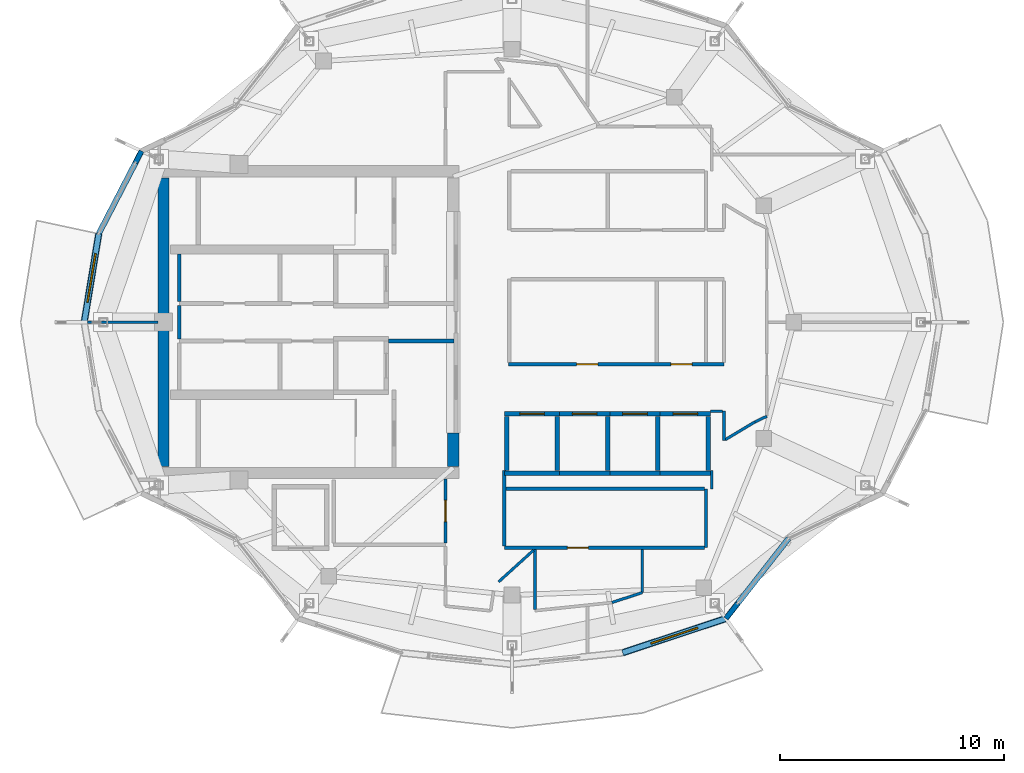
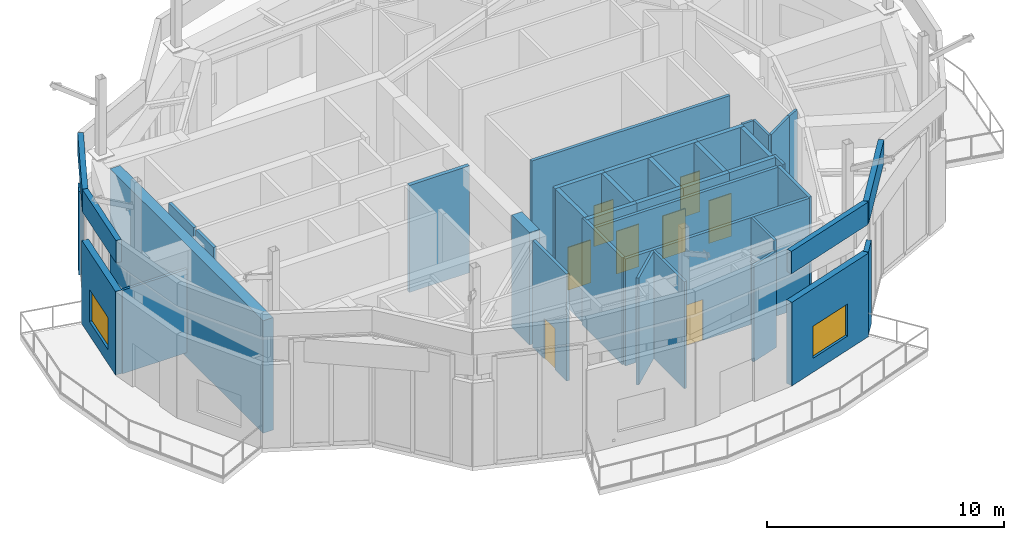
# One storey, part 9 of 13: 42 walls, 8 doors, 2 windows, 10 openings.
"""IFC4 building model written with IfcOpenShell, lengths in metres."""

from ifc_helpers import new_model, si_unit, direction, frame, frame_2d, origin, place, context, subcontext, project, spatial, rectangle, extrude, material, layer, layer_set, type_object, element, fill, save


model = new_model("IFC4")

# Units and contexts
model_context = context("Model", 3, precision=1e-05, world=origin(), true_north=direction((0.0, 1.0)))
body_context = subcontext(model_context, "Body", "Model", "MODEL_VIEW")
ifc_project = project(units=[si_unit("LENGTHUNIT", "METRE"), si_unit("AREAUNIT", "SQUARE_METRE"), si_unit("VOLUMEUNIT", "CUBIC_METRE"), si_unit("PLANEANGLEUNIT", "RADIAN"), si_unit("MASSUNIT", "GRAM", prefix="KILO")], contexts=[model_context])

# Site, building, storey
site_placement = place(None, origin())
site = spatial("IfcSite", under=ifc_project, at=site_placement, CompositionType="ELEMENT")
building_placement = place(site_placement, origin())
building = spatial("IfcBuilding", under=site, at=building_placement, Name="Kolvaren Gate Tower and Convention Centre", CompositionType="ELEMENT")
storey_placement = place(building_placement, frame((0.0, 0.0, 281.60009765625)))
storey = spatial("IfcBuildingStorey", under=building, at=storey_placement, Name="L76", CompositionType="ELEMENT", Elevation=281.60009765625)

# Walls
ifc_material_1 = material(Name="Autoclaved Aerated Masonry Blockwork Class 4 (4.0 MPa)", Category="masonry")
ifc_layer_1 = layer(ifc_material_1, 0.179931640625)
ifc_layer_set_1 = layer_set([ifc_layer_1], Name="Autoclaved Aerated Masonry Blockwork Class 4 (4.0 MPa)")
wall_type_1 = type_object("IfcWallType", Name="ARCH-WL-COMP-180", PredefinedType="SOLIDWALL", material=ifc_layer_set_1)
wall_1_placement = place(storey_placement, frame((24.60009765625, 26.159912109375, 0.0), z_axis=(0.0, 0.0, 1.0), x_axis=(1.0, 0.0, 0.0)))
element("IfcWall", 1, at=wall_1_placement, inside=storey, type_object=wall_type_1, Name="Interior Partition WL-L76-INT-005 (2)", PredefinedType="SOLIDWALL", context=body_context, shape_type="SweptSolid", body=[
    extrude(rectangle(XDim=2.927978515625, YDim=0.179931640625, at=frame_2d((1.4638671875, 0.0))), origin(), (0.0, 0.0, 1.0), 5.5),
])
ifc_material_2 = material(Name="Piedmont Cream Honed Limestone Cladding", Category="masonry")
ifc_layer_2 = layer(ifc_material_2, 0.25)
ifc_layer_set_2 = layer_set([ifc_layer_2], Name="Piedmont Cream Honed Limestone Cladding")
wall_type_2 = type_object("IfcWallType", Name="ARCH-WL-PARAPET-250", PredefinedType="PARAPET", material=ifc_layer_set_2)
wall_2_placement = place(storey_placement, frame((11.651611328125, 30.9599609375, 5.75), z_axis=(0.0, 0.0, 1.0), x_axis=(0.459812881143, 0.888015830002, 0.0)))
element("IfcWall", 2, at=wall_2_placement, inside=storey, type_object=wall_type_2, Name="Observation Roof Core-Cap Stone Parapet CPW-11", PredefinedType="PARAPET", context=body_context, shape_type="SweptSolid", body=[
    extrude(rectangle(XDim=4.1552734375, YDim=0.25, at=frame_2d((2.07763671875, 0.0))), origin(), (0.0, 0.0, 1.0), 1.14990234375),
])
wall_3_placement = place(storey_placement, frame((11.0, 27.0, 5.75), z_axis=(0.0, 0.0, 1.0), x_axis=(0.162366447696, 0.9867305289, 0.0)))
element("IfcWall", 3, at=wall_3_placement, inside=storey, type_object=wall_type_2, Name="Observation Roof Core-Cap Stone Parapet CPW-12", PredefinedType="PARAPET", context=body_context, shape_type="SweptSolid", body=[
    extrude(rectangle(XDim=4.01318359375, YDim=0.25, at=frame_2d((2.006591796875, 0.0))), origin(), (0.0, 0.0, 1.0), 1.14990234375),
])
wall_4_placement = place(storey_placement, frame((35.074951171875, 12.22119140625, 5.75), z_axis=(0.0, 0.0, 1.0), x_axis=(0.949234518432, 0.314569275388, 0.0)))
element("IfcWall", 4, at=wall_4_placement, inside=storey, type_object=wall_type_2, Name="Observation Roof Core-Cap Stone Parapet CPW-20", PredefinedType="PARAPET", context=body_context, shape_type="SweptSolid", body=[
    extrude(rectangle(XDim=4.859130859375, YDim=0.25, at=frame_2d((2.4296875, 0.0))), origin(), (0.0, 0.0, 1.0), 1.14990234375),
])
wall_5_placement = place(storey_placement, frame((39.6875, 13.749755859375, 5.75), z_axis=(0.0, 0.0, 1.0), x_axis=(0.616428247224, 0.78741108452, 0.0)))
element("IfcWall", 5, at=wall_5_placement, inside=storey, type_object=wall_type_2, Name="Observation Roof Core-Cap Stone Parapet CPW-21", PredefinedType="PARAPET", context=body_context, shape_type="SweptSolid", body=[
    extrude(rectangle(XDim=4.553466796875, YDim=0.25, at=frame_2d((2.27685546875, 0.0))), origin(), (0.0, 0.0, 1.0), 1.14990234375),
])
ifc_material_3 = material(Name="Fire-Rated Acoustic Gypsum Stud Partition", Category="gypsum")
ifc_layer_3 = layer(ifc_material_3, 0.1201171875)
ifc_layer_set_3 = layer_set([ifc_layer_3], Name="Fire-Rated Acoustic Gypsum Stud Partition")
wall_type_3 = type_object("IfcWallType", Name="ARCH-WL-PART-120", PredefinedType="PARTITIONING", material=ifc_layer_set_3)
wall_6_placement = place(storey_placement, frame((39.050048828125, 19.550048828125, 0.0), z_axis=(0.0, 0.0, 1.0), x_axis=(0.0, 1.0, 0.0)))
element("IfcWall", 6, at=wall_6_placement, inside=storey, type_object=wall_type_3, Name="Interior Partition WL-L76-INT-036", PredefinedType="PARTITIONING", context=body_context, shape_type="SweptSolid", body=[
    extrude(rectangle(XDim=0.81005859375, YDim=0.1201171875, at=frame_2d((0.405029296875, 0.0))), origin(), (0.0, 0.0, 1.0), 5.5),
])
wall_7_placement = place(storey_placement, frame((39.60009765625, 21.7099609375, 0.0), z_axis=(0.0, 0.0, 1.0), x_axis=(0.0, 1.0, 0.0)))
element("IfcWall", 7, at=wall_7_placement, inside=storey, type_object=wall_type_3, Name="Interior Partition WL-L76-INT-038", PredefinedType="PARTITIONING", context=body_context, shape_type="SweptSolid", body=[
    extrude(rectangle(XDim=1.31005859375, YDim=0.1201171875, at=frame_2d((0.655029296875, 0.0))), origin(), (0.0, 0.0, 1.0), 5.5),
])
wall_8_placement = place(storey_placement, frame((40.986083984375, 22.541015625, 0.0), z_axis=(0.0, 0.0, 1.0), x_axis=(0.903729424576, 0.428104107847, 0.0)))
element("IfcWall", 8, at=wall_8_placement, inside=storey, type_object=wall_type_3, Name="Interior Partition WL-L76-INT-044", PredefinedType="PARTITIONING", context=body_context, shape_type="SweptSolid", body=[
    extrude(rectangle(XDim=0.5908203125, YDim=0.1201171875, at=frame_2d((0.29541015625, 0.0))), origin(), (0.0, 0.0, 1.0), 5.5),
])
wall_9_placement = place(storey_placement, frame((39.662109375, 21.747314453125, 0.0), z_axis=(0.0, 0.0, 1.0), x_axis=(0.857688234944, 0.514170099908, 0.0)))
element("IfcWall", 9, at=wall_9_placement, inside=storey, type_object=wall_type_3, Name="Interior Partition WL-L76-INT-045", PredefinedType="PARTITIONING", context=body_context, shape_type="SweptSolid", body=[
    extrude(rectangle(XDim=1.543701171875, YDim=0.1201171875, at=frame_2d((0.77197265625, 0.0))), origin(), (0.0, 0.0, 1.0), 5.5),
])
wall_10_placement = place(storey_placement, frame((39.0, 23.02001953125, 0.0), z_axis=(0.0, 0.0, 1.0), x_axis=(1.0, 0.0, 0.0)))
element("IfcWall", 10, at=wall_10_placement, inside=storey, type_object=wall_type_3, Name="Interior Partition WL-L76-INT-046", PredefinedType="PARTITIONING", context=body_context, shape_type="SweptSolid", body=[
    extrude(rectangle(XDim=0.5380859375, YDim=0.1201171875, at=frame_2d((0.26904296875, 0.0))), origin(), (0.0, 0.0, 1.0), 5.5),
])
wall_11_placement = place(storey_placement, frame((35.949951171875, 14.9130859375, 0.0), z_axis=(0.0, 0.0, 1.0), x_axis=(0.0, 1.0, 0.0)))
element("IfcWall", 11, at=wall_11_placement, inside=storey, type_object=wall_type_3, Name="Interior Partition WL-L76-INT-047", PredefinedType="PARTITIONING", context=body_context, shape_type="SweptSolid", body=[
    extrude(rectangle(XDim=1.929931640625, YDim=0.1201171875, at=frame_2d((0.96484375, 0.0))), origin(), (0.0, 0.0, 1.0), 5.5),
])
wall_12_placement = place(storey_placement, frame((34.591064453125, 14.462890625, 0.0), z_axis=(0.0, 0.0, 1.0), x_axis=(0.949261561088, 0.314487660554, 0.0)))
element("IfcWall", 12, at=wall_12_placement, inside=storey, type_object=wall_type_3, Name="Interior Partition WL-L76-INT-048", PredefinedType="PARTITIONING", context=body_context, shape_type="SweptSolid", body=[
    extrude(rectangle(XDim=1.431640625, YDim=0.1201171875, at=frame_2d((0.7158203125, 0.0))), origin(), (0.0, 0.0, 1.0), 4.947998046875),
])
wall_13_placement = place(storey_placement, frame((31.14990234375, 14.163330078125, 0.0), z_axis=(0.0, 0.0, 1.0), x_axis=(0.0, 1.0, 0.0)))
element("IfcWall", 13, at=wall_13_placement, inside=storey, type_object=wall_type_3, Name="Interior Partition WL-L76-INT-050", PredefinedType="PARTITIONING", context=body_context, shape_type="SweptSolid", body=[
    extrude(rectangle(XDim=2.6796875, YDim=0.1201171875, at=frame_2d((1.33984375, 0.0))), origin(), (0.0, 0.0, 1.0), 5.5),
])
wall_14_placement = place(storey_placement, frame((29.531005859375, 15.39404296875, 0.0), z_axis=(0.0, 0.0, 1.0), x_axis=(0.741053805891, 0.671445646925, 0.0)))
element("IfcWall", 14, at=wall_14_placement, inside=storey, type_object=wall_type_3, Name="Interior Partition WL-L76-INT-051", PredefinedType="PARTITIONING", context=body_context, shape_type="SweptSolid", body=[
    extrude(rectangle(XDim=2.100830078125, YDim=0.1201171875, at=frame_2d((1.05029296875, 0.0))), origin(), (0.0, 0.0, 1.0), 5.5),
])
wall_15_placement = place(storey_placement, frame((11.154052734375, 27.0, 0.0), z_axis=(0.0, 0.0, 1.0), x_axis=(1.0, 0.0, 0.0)))
element("IfcWall", 15, at=wall_15_placement, inside=storey, type_object=wall_type_3, Name="Interior Partition WL-L76-INT-056", PredefinedType="PARTITIONING", context=body_context, shape_type="SweptSolid", body=[
    extrude(rectangle(XDim=3.14404296875, YDim=0.1201171875, at=frame_2d((1.572021484375, 0.0))), origin(), (0.0, 0.0, 1.0), 4.29248046875),
])
ifc_material_4 = material(Name="Bogota Sabana Bush-Hammered Sandstone Cladding", Category="masonry")
ifc_layer_4 = layer(ifc_material_4, 0.219970703125)
ifc_layer_set_4 = layer_set([ifc_layer_4], Name="Bogota Sabana Bush-Hammered Sandstone Cladding")
wall_type_4 = type_object("IfcWallType", Name="ARCH-WL-PIER-220", PredefinedType="SOLIDWALL", material=ifc_layer_set_4)
wall_16_placement = place(storey_placement, frame((13.285888671875, 34.115966796875, 0.0), z_axis=(0.0, 0.0, 1.0), x_axis=(0.459676982697, 0.888086184769, 0.0)))
element("IfcWall", 16, at=wall_16_placement, inside=storey, type_object=wall_type_4, Name="L76 Panoramic Structural Curtain Wall CW-10 Right Column Pier Wrap", PredefinedType="SOLIDWALL", context=body_context, shape_type="SweptSolid", body=[
    extrude(rectangle(XDim=0.601318359375, YDim=0.219970703125, at=frame_2d((0.30078125, 0.0))), origin(), (0.0, 0.0, 1.0), 4.2919921875),
])
wall_17_placement = place(storey_placement, frame((39.6875, 13.749755859375, 0.0), z_axis=(0.0, 0.0, 1.0), x_axis=(0.616368366719, 0.787457958566, 0.0)))
element("IfcWall", 17, at=wall_17_placement, inside=storey, type_object=wall_type_4, Name="L76 Panoramic Structural Curtain Wall CW-20 Left Column Pier Wrap", PredefinedType="SOLIDWALL", context=body_context, shape_type="SweptSolid", body=[
    extrude(rectangle(XDim=0.876220703125, YDim=0.219970703125, at=frame_2d((0.43798828125, 0.0))), origin(), (0.0, 0.0, 1.0), 4.2919921875),
])

# Wall, opening, door
ifc_layer_5 = layer(ifc_material_1, 0.199951171875)
ifc_layer_set_5 = layer_set([ifc_layer_5], Name="Autoclaved Aerated Masonry Blockwork Class 4 (4.0 MPa)")
wall_type_5 = type_object("IfcWallType", Name="ARCH-WL-SHAFT-200", PredefinedType="SOLIDWALL", material=ifc_layer_set_5)
wall_18_placement = place(storey_placement, frame((29.800048828125, 22.89990234375, 0.0), z_axis=(0.0, 0.0, 1.0), x_axis=(1.0, 0.0, 0.0)))
wall_18 = element("IfcWall", 18, at=wall_18_placement, inside=storey, type_object=wall_type_5, Name="Elevator PL-09 L76 Fire Shaft Wall N", PredefinedType="SOLIDWALL", context=body_context, shape_type="SweptSolid", body=[
    extrude(rectangle(XDim=2.449951171875, YDim=0.199951171875, at=frame_2d((1.22509765625, 0.0))), origin(), (0.0, 0.0, 1.0), 5.5),
])
opening_1_placement = place(wall_18_placement, frame((0.675048828125, 0.0, 0.0)))
opening_1 = element("IfcOpeningElement", 19, at=opening_1_placement, cuts=wall_18, Name="Opening LD", PredefinedType="OPENING", context=body_context, shape_type="SweptSolid", body=[
    extrude(rectangle(XDim=1.10009765625, YDim=2.199951171875, at=frame_2d((0.550048828125, 1.10009765625))), frame((0.0, 0.10986328125, 0.0), z_axis=(0.0, -1.0, 0.0), x_axis=(1.0, 0.0, 0.0)), (0.0, 0.0, 1.0), 0.219970703125),
])
ifc_material_5 = material(Name="Brushed Stainless Steel Grade 316L", Category="steel")
door_type_1 = type_object("IfcDoorType", Name="ARCH-DR-LIFT-1100", OperationType="SLIDING_TO_LEFT", PredefinedType="DOOR", material=ifc_material_5)
door_1_placement = place(opening_1_placement, origin())
door_1 = element("IfcDoor", 20, at=door_1_placement, inside=storey, type_object=door_type_1, Name="Elevator PL-09 L76 Sliding Landing Door", OperationType="SLIDING_TO_LEFT", OverallHeight=2.199951171875, OverallWidth=1.10009765625, PredefinedType="DOOR", context=body_context, shape_type="SweptSolid", body=[
    extrude(rectangle(XDim=1.10009765625, YDim=2.199951171875, at=frame_2d((0.550048828125, 1.10009765625))), frame((0.0, 0.02490234375, 0.0), z_axis=(0.0, -1.0, 0.0), x_axis=(1.0, 0.0, 0.0)), (0.0, 0.0, 1.0), 0.050048828125),
])
fill(opening_1, door_1)

# Walls
wall_19_placement = place(storey_placement, frame((29.800048828125, 20.25, 0.0), z_axis=(0.0, 0.0, 1.0), x_axis=(1.0, 0.0, 0.0)))
element("IfcWall", 21, at=wall_19_placement, inside=storey, type_object=wall_type_5, Name="Elevator PL-09 L76 Fire Shaft Wall S", PredefinedType="SOLIDWALL", context=body_context, shape_type="SweptSolid", body=[
    extrude(rectangle(XDim=2.449951171875, YDim=0.199951171875, at=frame_2d((1.22509765625, 0.0))), origin(), (0.0, 0.0, 1.0), 5.5),
])
for number, where, z_axis, x_axis, name in (
    (22, (29.89990234375, 20.360107421875, 0.0), (0.0, 0.0, 1.0), (0.0, 1.0, 0.0), "Elevator PL-09 L76 Fire Shaft Wall W"),
    (23, (32.14990234375, 20.360107421875, 0.0), (0.0, 0.0, 1.0), (0.0, 1.0, 0.0), "Elevator PL-09 L76 Fire Shaft Wall E"),
):
    element("IfcWall", number, at=place(storey_placement, frame(where, z_axis=z_axis, x_axis=x_axis)), inside=storey, type_object=wall_type_5, Name=name, PredefinedType="SOLIDWALL", context=body_context, shape_type="SweptSolid", body=[
        extrude(rectangle(XDim=2.429931640625, YDim=0.199951171875, at=frame_2d((1.21484375, 0.0))), origin(), (0.0, 0.0, 1.0), 5.5),
    ])

# Wall, opening, door
wall_20_placement = place(storey_placement, frame((32.25, 22.89990234375, 0.0), z_axis=(0.0, 0.0, 1.0), x_axis=(1.0, 0.0, 0.0)))
wall_20 = element("IfcWall", 24, at=wall_20_placement, inside=storey, type_object=wall_type_5, Name="Elevator PL-10 L76 Fire Shaft Wall N", PredefinedType="SOLIDWALL", context=body_context, shape_type="SweptSolid", body=[
    extrude(rectangle(XDim=2.25, YDim=0.199951171875, at=frame_2d((1.125, 0.0))), origin(), (0.0, 0.0, 1.0), 5.5),
])
opening_2_placement = place(wall_20_placement, frame((0.574951171875, 0.0, 0.0)))
opening_2 = element("IfcOpeningElement", 25, at=opening_2_placement, cuts=wall_20, Name="Opening LD", PredefinedType="OPENING", context=body_context, shape_type="SweptSolid", body=[
    extrude(rectangle(XDim=1.10009765625, YDim=2.199951171875, at=frame_2d((0.550048828125, 1.10009765625))), frame((0.0, 0.10986328125, 0.0), z_axis=(0.0, -1.0, 0.0), x_axis=(1.0, 0.0, 0.0)), (0.0, 0.0, 1.0), 0.219970703125),
])
door_2_placement = place(opening_2_placement, origin())
door_2 = element("IfcDoor", 26, at=door_2_placement, inside=storey, type_object=door_type_1, Name="Elevator PL-10 L76 Sliding Landing Door", OperationType="SLIDING_TO_LEFT", OverallHeight=2.199951171875, OverallWidth=1.10009765625, PredefinedType="DOOR", context=body_context, shape_type="SweptSolid", body=[
    extrude(rectangle(XDim=1.10009765625, YDim=2.199951171875, at=frame_2d((0.550048828125, 1.10009765625))), frame((0.0, 0.02490234375, 0.0), z_axis=(0.0, -1.0, 0.0), x_axis=(1.0, 0.0, 0.0)), (0.0, 0.0, 1.0), 0.050048828125),
])
fill(opening_2, door_2)

# Walls
wall_21_placement = place(storey_placement, frame((32.25, 20.25, 0.0), z_axis=(0.0, 0.0, 1.0), x_axis=(1.0, 0.0, 0.0)))
element("IfcWall", 27, at=wall_21_placement, inside=storey, type_object=wall_type_5, Name="Elevator PL-10 L76 Fire Shaft Wall S", PredefinedType="SOLIDWALL", context=body_context, shape_type="SweptSolid", body=[
    extrude(rectangle(XDim=2.25, YDim=0.199951171875, at=frame_2d((1.125, 0.0))), origin(), (0.0, 0.0, 1.0), 5.5),
])
wall_22_placement = place(storey_placement, frame((34.39990234375, 20.360107421875, 0.0), z_axis=(0.0, 0.0, 1.0), x_axis=(0.0, 1.0, 0.0)))
element("IfcWall", 28, at=wall_22_placement, inside=storey, type_object=wall_type_5, Name="Elevator PL-10 L76 Fire Shaft Wall E", PredefinedType="SOLIDWALL", context=body_context, shape_type="SweptSolid", body=[
    extrude(rectangle(XDim=2.429931640625, YDim=0.199951171875, at=frame_2d((1.21484375, 0.0))), origin(), (0.0, 0.0, 1.0), 5.5),
])

# Wall, opening, door
wall_23_placement = place(storey_placement, frame((34.5, 22.89990234375, 0.0), z_axis=(0.0, 0.0, 1.0), x_axis=(1.0, 0.0, 0.0)))
wall_23 = element("IfcWall", 29, at=wall_23_placement, inside=storey, type_object=wall_type_5, Name="Elevator PL-11 L76 Fire Shaft Wall N", PredefinedType="SOLIDWALL", context=body_context, shape_type="SweptSolid", body=[
    extrude(rectangle(XDim=2.25, YDim=0.199951171875, at=frame_2d((1.125, 0.0))), origin(), (0.0, 0.0, 1.0), 5.5),
])
opening_3_placement = place(wall_23_placement, frame((0.574951171875, 0.0, 0.0)))
opening_3 = element("IfcOpeningElement", 30, at=opening_3_placement, cuts=wall_23, Name="Opening LD", PredefinedType="OPENING", context=body_context, shape_type="SweptSolid", body=[
    extrude(rectangle(XDim=1.10009765625, YDim=2.199951171875, at=frame_2d((0.550048828125, 1.10009765625))), frame((0.0, 0.10986328125, 0.0), z_axis=(0.0, -1.0, 0.0), x_axis=(1.0, 0.0, 0.0)), (0.0, 0.0, 1.0), 0.219970703125),
])
door_3_placement = place(opening_3_placement, origin())
door_3 = element("IfcDoor", 31, at=door_3_placement, inside=storey, type_object=door_type_1, Name="Elevator PL-11 L76 Sliding Landing Door", OperationType="SLIDING_TO_LEFT", OverallHeight=2.199951171875, OverallWidth=1.10009765625, PredefinedType="DOOR", context=body_context, shape_type="SweptSolid", body=[
    extrude(rectangle(XDim=1.10009765625, YDim=2.199951171875, at=frame_2d((0.550048828125, 1.10009765625))), frame((0.0, 0.02490234375, 0.0), z_axis=(0.0, -1.0, 0.0), x_axis=(1.0, 0.0, 0.0)), (0.0, 0.0, 1.0), 0.050048828125),
])
fill(opening_3, door_3)

# Walls
wall_24_placement = place(storey_placement, frame((34.5, 20.25, 0.0), z_axis=(0.0, 0.0, 1.0), x_axis=(1.0, 0.0, 0.0)))
element("IfcWall", 32, at=wall_24_placement, inside=storey, type_object=wall_type_5, Name="Elevator PL-11 L76 Fire Shaft Wall S", PredefinedType="SOLIDWALL", context=body_context, shape_type="SweptSolid", body=[
    extrude(rectangle(XDim=2.25, YDim=0.199951171875, at=frame_2d((1.125, 0.0))), origin(), (0.0, 0.0, 1.0), 5.5),
])
wall_25_placement = place(storey_placement, frame((36.64990234375, 20.360107421875, 0.0), z_axis=(0.0, 0.0, 1.0), x_axis=(0.0, 1.0, 0.0)))
element("IfcWall", 33, at=wall_25_placement, inside=storey, type_object=wall_type_5, Name="Elevator PL-11 L76 Fire Shaft Wall E", PredefinedType="SOLIDWALL", context=body_context, shape_type="SweptSolid", body=[
    extrude(rectangle(XDim=2.429931640625, YDim=0.199951171875, at=frame_2d((1.21484375, 0.0))), origin(), (0.0, 0.0, 1.0), 5.5),
])

# Wall, opening, door
wall_26_placement = place(storey_placement, frame((36.75, 22.89990234375, 0.0), z_axis=(0.0, 0.0, 1.0), x_axis=(1.0, 0.0, 0.0)))
wall_26 = element("IfcWall", 34, at=wall_26_placement, inside=storey, type_object=wall_type_5, Name="Elevator PL-12 L76 Fire Shaft Wall N", PredefinedType="SOLIDWALL", context=body_context, shape_type="SweptSolid", body=[
    extrude(rectangle(XDim=2.25, YDim=0.199951171875, at=frame_2d((1.125, 0.0))), origin(), (0.0, 0.0, 1.0), 5.5),
])
opening_4_placement = place(wall_26_placement, frame((0.574951171875, 0.0, 0.0)))
opening_4 = element("IfcOpeningElement", 35, at=opening_4_placement, cuts=wall_26, Name="Opening LD", PredefinedType="OPENING", context=body_context, shape_type="SweptSolid", body=[
    extrude(rectangle(XDim=1.10009765625, YDim=2.199951171875, at=frame_2d((0.550048828125, 1.10009765625))), frame((0.0, 0.10986328125, 0.0), z_axis=(0.0, -1.0, 0.0), x_axis=(1.0, 0.0, 0.0)), (0.0, 0.0, 1.0), 0.219970703125),
])
door_4_placement = place(opening_4_placement, origin())
door_4 = element("IfcDoor", 36, at=door_4_placement, inside=storey, type_object=door_type_1, Name="Elevator PL-12 L76 Sliding Landing Door", OperationType="SLIDING_TO_LEFT", OverallHeight=2.199951171875, OverallWidth=1.10009765625, PredefinedType="DOOR", context=body_context, shape_type="SweptSolid", body=[
    extrude(rectangle(XDim=1.10009765625, YDim=2.199951171875, at=frame_2d((0.550048828125, 1.10009765625))), frame((0.0, 0.02490234375, 0.0), z_axis=(0.0, -1.0, 0.0), x_axis=(1.0, 0.0, 0.0)), (0.0, 0.0, 1.0), 0.050048828125),
])
fill(opening_4, door_4)

# Walls
wall_27_placement = place(storey_placement, frame((36.75, 20.25, 0.0), z_axis=(0.0, 0.0, 1.0), x_axis=(1.0, 0.0, 0.0)))
element("IfcWall", 37, at=wall_27_placement, inside=storey, type_object=wall_type_5, Name="Elevator PL-12 L76 Fire Shaft Wall S", PredefinedType="SOLIDWALL", context=body_context, shape_type="SweptSolid", body=[
    extrude(rectangle(XDim=2.25, YDim=0.199951171875, at=frame_2d((1.125, 0.0))), origin(), (0.0, 0.0, 1.0), 5.5),
])
wall_28_placement = place(storey_placement, frame((38.89990234375, 20.360107421875, 0.0), z_axis=(0.0, 0.0, 1.0), x_axis=(0.0, 1.0, 0.0)))
element("IfcWall", 38, at=wall_28_placement, inside=storey, type_object=wall_type_5, Name="Elevator PL-12 L76 Fire Shaft Wall E", PredefinedType="SOLIDWALL", context=body_context, shape_type="SweptSolid", body=[
    extrude(rectangle(XDim=2.429931640625, YDim=0.199951171875, at=frame_2d((1.21484375, 0.0))), origin(), (0.0, 0.0, 1.0), 5.5),
])

# Wall, opening, window
ifc_layer_6 = layer(ifc_material_2, 0.300048828125)
ifc_layer_set_6 = layer_set([ifc_layer_6], Name="Piedmont Cream Honed Limestone Cladding")
wall_type_6 = type_object("IfcWallType", Name="ARCH-WL-STONE-300", PredefinedType="SOLIDWALL", material=ifc_layer_set_6)
wall_29_placement = place(storey_placement, frame((11.0, 27.0, 0.0), z_axis=(0.0, 0.0, 1.0), x_axis=(0.162366447696, 0.9867305289, 0.0)))
wall_29 = element("IfcWall", 39, at=wall_29_placement, inside=storey, type_object=wall_type_6, Name="Tower L76 Honed Stone Spandrel Wall EW-11", PredefinedType="SOLIDWALL", context=body_context, shape_type="SweptSolid", body=[
    extrude(rectangle(XDim=4.01318359375, YDim=0.300048828125, at=frame_2d((2.006591796875, 0.0))), origin(), (0.0, 0.0, 1.0), 4.2919921875),
])
opening_5_placement = place(wall_29_placement, frame((0.906982421875, 0.0, 0.719970703125)))
opening_5 = element("IfcOpeningElement", 40, at=opening_5_placement, cuts=wall_29, Name="Opening W-03", PredefinedType="OPENING", context=body_context, shape_type="SweptSolid", body=[
    extrude(rectangle(XDim=2.199951171875, YDim=1.64990234375, at=frame_2d((1.10009765625, 0.824951171875))), frame((0.0, 0.159912109375, 0.0), z_axis=(0.0, -1.0, 0.0), x_axis=(1.0, 0.0, 0.0)), (0.0, 0.0, 1.0), 0.320068359375),
])
ifc_material_6 = material(Name="Low-E Triple Insulated Glazing Unit 44 mm", Category="glass")
window_type = type_object("IfcWindowType", Name="ARCH-WN-RES-2200", PartitioningType="SINGLE_PANEL", PredefinedType="WINDOW", material=ifc_material_6)
window_1_placement = place(opening_5_placement, origin())
window_1 = element("IfcWindow", 41, at=window_1_placement, inside=storey, type_object=window_type, Name="Tower L76 Punched Stone Facade Window W-11", OverallHeight=1.64990234375, OverallWidth=2.199951171875, PartitioningType="SINGLE_PANEL", PredefinedType="WINDOW", context=body_context, shape_type="SweptSolid", body=[
    extrude(rectangle(XDim=2.199951171875, YDim=1.64990234375, at=frame_2d((1.10009765625, 0.824951171875))), frame((0.0, 0.030029296875, 0.0), z_axis=(0.0, -1.0, 0.0), x_axis=(1.0, 0.0, 0.0)), (0.0, 0.0, 1.0), 0.06005859375),
])
fill(opening_5, window_1)

wall_30_placement = place(storey_placement, frame((35.074951171875, 12.22119140625, 0.0), z_axis=(0.0, 0.0, 1.0), x_axis=(0.949234518432, 0.314569275388, 0.0)))
wall_30 = element("IfcWall", 42, at=wall_30_placement, inside=storey, type_object=wall_type_6, Name="Tower L76 Honed Stone Spandrel Wall EW-19", PredefinedType="SOLIDWALL", context=body_context, shape_type="SweptSolid", body=[
    extrude(rectangle(XDim=4.859130859375, YDim=0.300048828125, at=frame_2d((2.4296875, 0.0))), origin(), (0.0, 0.0, 1.0), 4.2919921875),
])
opening_6_placement = place(wall_30_placement, frame((1.330078125, 0.0, 0.719970703125)))
opening_6 = element("IfcOpeningElement", 43, at=opening_6_placement, cuts=wall_30, Name="Opening W-03", PredefinedType="OPENING", context=body_context, shape_type="SweptSolid", body=[
    extrude(rectangle(XDim=2.199951171875, YDim=1.64990234375, at=frame_2d((1.10009765625, 0.824951171875))), frame((0.0, 0.159912109375, 0.0), z_axis=(0.0, -1.0, 0.0), x_axis=(1.0, 0.0, 0.0)), (0.0, 0.0, 1.0), 0.320068359375),
])
window_2_placement = place(opening_6_placement, origin())
window_2 = element("IfcWindow", 44, at=window_2_placement, inside=storey, type_object=window_type, Name="Tower L76 Punched Stone Facade Window W-19", OverallHeight=1.64990234375, OverallWidth=2.199951171875, PartitioningType="SINGLE_PANEL", PredefinedType="WINDOW", context=body_context, shape_type="SweptSolid", body=[
    extrude(rectangle(XDim=2.199951171875, YDim=1.64990234375, at=frame_2d((1.10009765625, 0.824951171875))), frame((0.0, 0.030029296875, 0.0), z_axis=(0.0, -1.0, 0.0), x_axis=(1.0, 0.0, 0.0)), (0.0, 0.0, 1.0), 0.06005859375),
])
fill(opening_6, window_2)

# Walls
ifc_material_7 = material(Name="Moisture-Resistant Cement-Board Acoustic Partition", Category="gypsum")
ifc_layer_7 = layer(ifc_material_7, 0.14990234375)
ifc_layer_set_7 = layer_set([ifc_layer_7], Name="Moisture-Resistant Cement-Board Acoustic Partition")
wall_type_7 = type_object("IfcWallType", Name="ARCH-WL-WET-150", PredefinedType="PARTITIONING", material=ifc_layer_set_7)
wall_31_placement = place(storey_placement, frame((15.25, 26.251953125, 0.0), z_axis=(0.0, 0.0, 1.0), x_axis=(0.0, 1.0, 0.0)))
element("IfcWall", 45, at=wall_31_placement, inside=storey, type_object=wall_type_7, Name="Interior Partition WL-L76-INT-006 (2)", PredefinedType="PARTITIONING", context=body_context, shape_type="SweptSolid", body=[
    extrude(rectangle(XDim=1.49609375, YDim=0.14990234375, at=frame_2d((0.748046875, 0.0))), origin(), (0.0, 0.0, 1.0), 5.5),
])
wall_32_placement = place(storey_placement, frame((15.25, 27.931884765625, 0.0), z_axis=(0.0, 0.0, 1.0), x_axis=(0.0, 1.0, 0.0)))
element("IfcWall", 46, at=wall_32_placement, inside=storey, type_object=wall_type_7, Name="Interior Partition WL-L76-INT-006 (3)", PredefinedType="PARTITIONING", context=body_context, shape_type="SweptSolid", body=[
    extrude(rectangle(XDim=2.106201171875, YDim=0.14990234375, at=frame_2d((1.05322265625, 0.0))), origin(), (0.0, 0.0, 1.0), 5.5),
])

# Wall, opening, door
wall_33_placement = place(storey_placement, frame((27.14990234375, 17.126953125, 0.0), z_axis=(0.0, 0.0, 1.0), x_axis=(0.0, 1.0, 0.0)))
wall_33 = element("IfcWall", 47, at=wall_33_placement, inside=storey, type_object=wall_type_7, Name="Interior Partition WL-L76-INT-012 (2)", PredefinedType="PARTITIONING", context=body_context, shape_type="SweptSolid", body=[
    extrude(rectangle(XDim=2.87109375, YDim=0.14990234375, at=frame_2d((1.435546875, 0.0))), origin(), (0.0, 0.0, 1.0), 5.5),
])
opening_7_placement = place(wall_33_placement, frame((0.96044921875, 0.0, 0.0)))
opening_7 = element("IfcOpeningElement", 48, at=opening_7_placement, cuts=wall_33, Name="Opening DR-01", PredefinedType="OPENING", context=body_context, shape_type="SweptSolid", body=[
    extrude(rectangle(XDim=0.949951171875, YDim=2.10009765625, at=frame_2d((0.47509765625, 1.050048828125))), frame((0.0, 0.0849609375, 0.0), z_axis=(0.0, -1.0, 0.0), x_axis=(1.0, 0.0, 0.0)), (0.0, 0.0, 1.0), 0.169921875),
])
ifc_material_8 = material(Name="Painted Architectural Steelwork ASTM A500 Grade C 345 MPa", Category="steel")
door_type_2 = type_object("IfcDoorType", Name="ARCH-DR-RISER-950", OperationType="SINGLE_SWING_RIGHT", PredefinedType="DOOR", material=ifc_material_8)
door_5_placement = place(opening_7_placement, origin())
door_5 = element("IfcDoor", 49, at=door_5_placement, inside=storey, type_object=door_type_2, Name="West Linen and Supply Store Door", OperationType="SINGLE_SWING_RIGHT", OverallHeight=2.10009765625, OverallWidth=0.949951171875, PredefinedType="DOOR", context=body_context, shape_type="SweptSolid", body=[
    extrude(rectangle(XDim=0.949951171875, YDim=2.10009765625, at=frame_2d((0.47509765625, 1.050048828125))), frame((0.0, 0.02490234375, 0.0), z_axis=(0.0, -1.0, 0.0), x_axis=(1.0, 0.0, 0.0)), (0.0, 0.0, 1.0), 0.050048828125),
])
fill(opening_7, door_5)

# Wall, openings, doors
wall_34_placement = place(storey_placement, frame((29.9599609375, 25.1201171875, 0.0), z_axis=(0.0, 0.0, 1.0), x_axis=(1.0, 0.0, 0.0)))
wall_34 = element("IfcWall", 50, at=wall_34_placement, inside=storey, type_object=wall_type_7, Name="Interior Partition WL-L76-INT-014", PredefinedType="PARTITIONING", context=body_context, shape_type="SweptSolid", body=[
    extrude(rectangle(XDim=9.64013671875, YDim=0.14990234375, at=frame_2d((4.820068359375, 0.0))), origin(), (0.0, 0.0, 1.0), 5.5),
])
opening_8_placement = place(wall_34_placement, frame((3.050048828125, 0.0, 0.0)))
opening_8 = element("IfcOpeningElement", 51, at=opening_8_placement, cuts=wall_34, Name="Opening DR-01", PredefinedType="OPENING", context=body_context, shape_type="SweptSolid", body=[
    extrude(rectangle(XDim=0.949951171875, YDim=2.10009765625, at=frame_2d((0.47509765625, 1.050048828125))), frame((0.0, 0.0849609375, 0.0), z_axis=(0.0, -1.0, 0.0), x_axis=(1.0, 0.0, 0.0)), (0.0, 0.0, 1.0), 0.169921875),
])
opening_9_placement = place(wall_34_placement, frame((7.264892578125, 0.0, 0.0)))
opening_9 = element("IfcOpeningElement", 52, at=opening_9_placement, cuts=wall_34, Name="Opening DR-01", PredefinedType="OPENING", context=body_context, shape_type="SweptSolid", body=[
    extrude(rectangle(XDim=0.949951171875, YDim=2.10009765625, at=frame_2d((0.47509765625, 1.050048828125))), frame((0.0, 0.0849609375, 0.0), z_axis=(0.0, -1.0, 0.0), x_axis=(1.0, 0.0, 0.0)), (0.0, 0.0, 1.0), 0.169921875),
])
door_6_placement = place(opening_8_placement, origin())
door_6 = element("IfcDoor", 53, at=door_6_placement, inside=storey, type_object=door_type_2, Name="Accessible Universal Washroom Door", OperationType="SINGLE_SWING_LEFT", OverallHeight=2.10009765625, OverallWidth=0.949951171875, PredefinedType="DOOR", context=body_context, shape_type="SweptSolid", body=[
    extrude(rectangle(XDim=0.949951171875, YDim=2.10009765625, at=frame_2d((0.47509765625, 1.050048828125))), frame((0.0, 0.02490234375, 0.0), z_axis=(0.0, -1.0, 0.0), x_axis=(1.0, 0.0, 0.0)), (0.0, 0.0, 1.0), 0.050048828125),
])
fill(opening_8, door_6)
door_7_placement = place(opening_9_placement, origin())
door_7 = element("IfcDoor", 54, at=door_7_placement, inside=storey, type_object=door_type_2, Name="Floor Janitor and Supply Store Door", OperationType="SINGLE_SWING_RIGHT", OverallHeight=2.10009765625, OverallWidth=0.949951171875, PredefinedType="DOOR", context=body_context, shape_type="SweptSolid", body=[
    extrude(rectangle(XDim=0.949951171875, YDim=2.10009765625, at=frame_2d((0.47509765625, 1.050048828125))), frame((0.0, 0.02490234375, 0.0), z_axis=(0.0, -1.0, 0.0), x_axis=(1.0, 0.0, 0.0)), (0.0, 0.0, 1.0), 0.050048828125),
])
fill(opening_9, door_7)

# Wall
wall_35_placement = place(storey_placement, frame((38.800048828125, 16.919921875, 0.0), z_axis=(0.0, 0.0, 1.0), x_axis=(0.0, 1.0, 0.0)))
element("IfcWall", 55, at=wall_35_placement, inside=storey, type_object=wall_type_7, Name="Interior Partition WL-L76-INT-020", PredefinedType="PARTITIONING", context=body_context, shape_type="SweptSolid", body=[
    extrude(rectangle(XDim=2.630126953125, YDim=0.14990234375, at=frame_2d((1.31494140625, 0.0))), origin(), (0.0, 0.0, 1.0), 5.5),
])

# Wall, opening, door
wall_36_placement = place(storey_placement, frame((29.780029296875, 16.919921875, 0.0), z_axis=(0.0, 0.0, 1.0), x_axis=(1.0, 0.0, 0.0)))
wall_36 = element("IfcWall", 56, at=wall_36_placement, inside=storey, type_object=wall_type_7, Name="Interior Partition WL-L76-INT-026", PredefinedType="PARTITIONING", context=body_context, shape_type="SweptSolid", body=[
    extrude(rectangle(XDim=8.94287109375, YDim=0.14990234375, at=frame_2d((4.471435546875, 0.0))), origin(), (0.0, 0.0, 1.0), 5.5),
])
opening_10_placement = place(wall_36_placement, frame((2.81494140625, 0.0, 0.0)))
opening_10 = element("IfcOpeningElement", 57, at=opening_10_placement, cuts=wall_36, Name="Opening DR-01", PredefinedType="OPENING", context=body_context, shape_type="SweptSolid", body=[
    extrude(rectangle(XDim=0.949951171875, YDim=2.10009765625, at=frame_2d((0.47509765625, 1.050048828125))), frame((0.0, 0.0849609375, 0.0), z_axis=(0.0, -1.0, 0.0), x_axis=(1.0, 0.0, 0.0)), (0.0, 0.0, 1.0), 0.169921875),
])
door_8_placement = place(opening_10_placement, origin())
door_8 = element("IfcDoor", 58, at=door_8_placement, inside=storey, type_object=door_type_2, Name="Observation Archive and Audio-Guide Store Door", OperationType="SINGLE_SWING_LEFT", OverallHeight=2.10009765625, OverallWidth=0.949951171875, PredefinedType="DOOR", context=body_context, shape_type="SweptSolid", body=[
    extrude(rectangle(XDim=0.949951171875, YDim=2.10009765625, at=frame_2d((0.47509765625, 1.050048828125))), frame((0.0, 0.02490234375, 0.0), z_axis=(0.0, -1.0, 0.0), x_axis=(1.0, 0.0, 0.0)), (0.0, 0.0, 1.0), 0.050048828125),
])
fill(opening_10, door_8)

# Walls
wall_37_placement = place(storey_placement, frame((29.780029296875, 16.9970703125, 0.0), z_axis=(0.0, 0.0, 1.0), x_axis=(0.0, 1.0, 0.0)))
element("IfcWall", 59, at=wall_37_placement, inside=storey, type_object=wall_type_7, Name="Interior Partition WL-L76-INT-027", PredefinedType="PARTITIONING", context=body_context, shape_type="SweptSolid", body=[
    extrude(rectangle(XDim=3.363037109375, YDim=0.14990234375, at=frame_2d((1.681640625, 0.0))), origin(), (0.0, 0.0, 1.0), 5.5),
])
wall_38_placement = place(storey_placement, frame((29.85693359375, 19.550048828125, 0.0), z_axis=(0.0, 0.0, 1.0), x_axis=(1.0, 0.0, 0.0)))
element("IfcWall", 60, at=wall_38_placement, inside=storey, type_object=wall_type_7, Name="Interior Partition WL-L76-INT-028", PredefinedType="PARTITIONING", context=body_context, shape_type="SweptSolid", body=[
    extrude(rectangle(XDim=8.865966796875, YDim=0.14990234375, at=frame_2d((4.43310546875, 0.0))), origin(), (0.0, 0.0, 1.0), 5.5),
])
ifc_material_9 = material(Name="Concrete C50/60", Category="concrete")
ifc_layer_8 = layer(ifc_material_9, 0.5)
ifc_layer_set_8 = layer_set([ifc_layer_8], Name="Concrete C50/60")
wall_type_8 = type_object("IfcWallType", Name="STR-WL-CORE-500", PredefinedType="SHEAR", material=ifc_layer_set_8)
wall_39_placement = place(storey_placement, frame((14.550048828125, 20.550048828125, -0.280029296875), z_axis=(0.0, 0.0, 1.0), x_axis=(0.0, 1.0, 0.0)))
element("IfcWall", 61, at=wall_39_placement, inside=storey, type_object=wall_type_8, Name="Tower L76 Offset Core Shear Wall W", PredefinedType="SHEAR", context=body_context, shape_type="SweptSolid", body=[
    extrude(rectangle(XDim=12.89990234375, YDim=0.5, at=frame_2d((6.449951171875, 0.0))), origin(), (0.0, 0.0, 1.0), 5.780029296875),
])
wall_40_placement = place(storey_placement, frame((27.5, 20.550048828125, -0.280029296875), z_axis=(0.0, 0.0, 1.0), x_axis=(0.0, 1.0, 0.0)))
element("IfcWall", 62, at=wall_40_placement, inside=storey, type_object=wall_type_8, Name="Tower L76 Offset Core Shear Wall ES", PredefinedType="SHEAR", context=body_context, shape_type="SweptSolid", body=[
    extrude(rectangle(XDim=1.5, YDim=0.5, at=frame_2d((0.75, 0.0))), origin(), (0.0, 0.0, 1.0), 5.780029296875),
])

save(model, "model.ifc")
